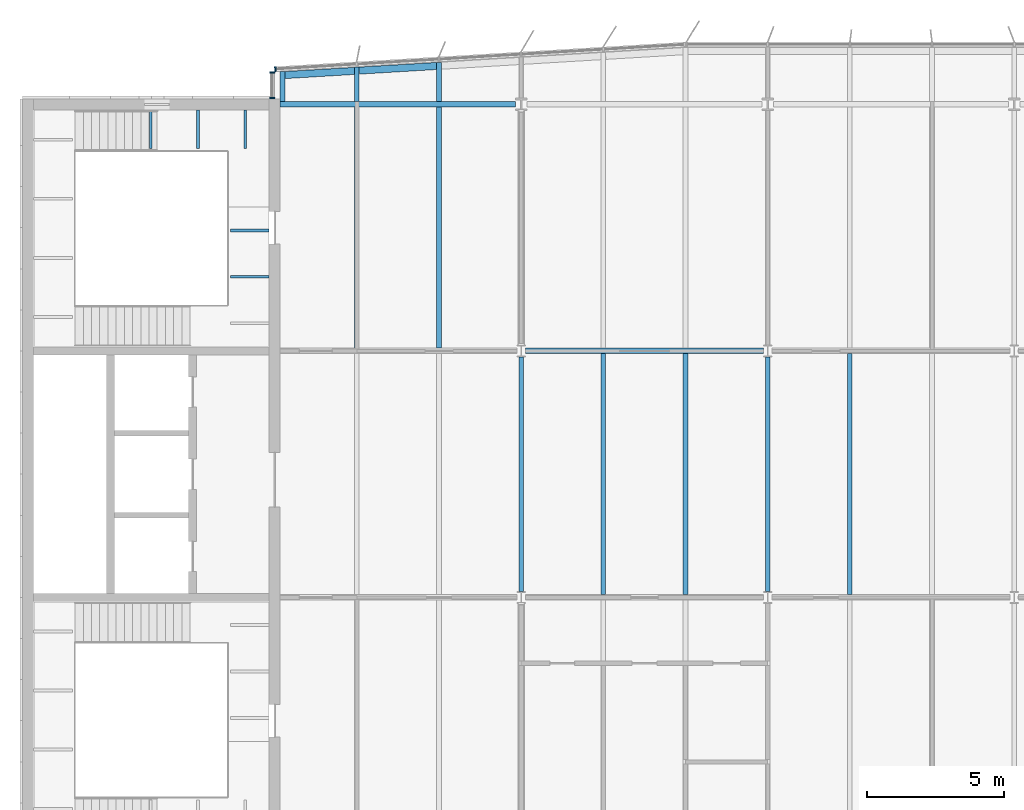
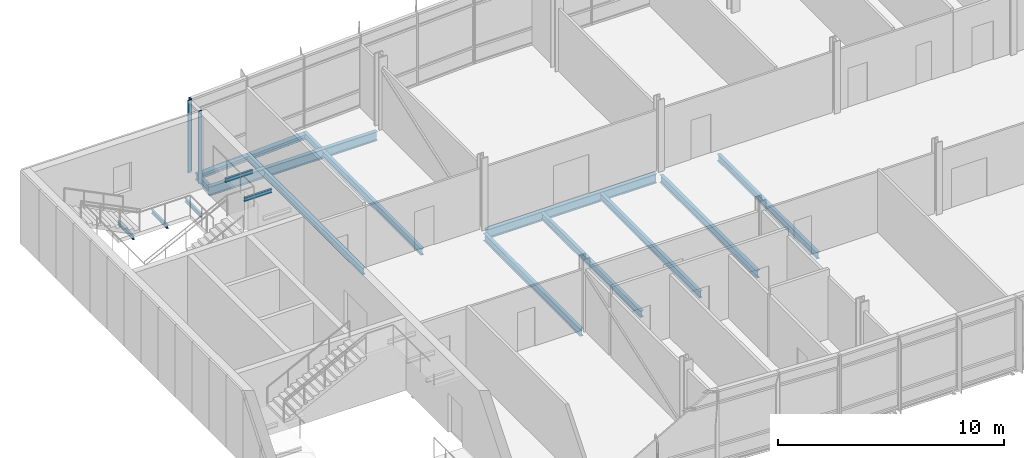
# One storey, part 4 of 18: 19 beams, 3 members, 2 elements without a shape of their own.
"""IFC4 building model written with IfcOpenShell, lengths in metres."""

import ifcopenshell
import ifcopenshell.guid

model = None  # the IFC model being written
_history = None  # IfcOwnerHistory: only IFC2X3 demands one
_inside = {}  # id of a spatial element -> (the spatial element, [elements in it])
_under = {}  # id of a project, library or spatial element -> (it, [spatial elements below it])
_declared = {}  # id of a project -> (the project, [libraries it declares])
_typed = {}  # id of a type object -> (the type object, [elements of that type])
_made_of = {}  # id of a material, layer set ... -> (it, [elements and type objects made of it])


def new_model(schema):
    """Start an empty IFC model of exactly this schema.

    Asked for "IFC4X3", IfcOpenShell would pick the latest addendum, in which some entities
    have other attributes; the version numbers below select the first issue.
    IFC2X3 requires an IfcOwnerHistory on every rooted entity: one is made here for all.
    """
    global model, _history
    if schema == "IFC4X3":
        model = ifcopenshell.file(schema_version=(4, 3, 0, 0))
    else:
        model = ifcopenshell.file(schema=schema)
    _inside.clear()
    _under.clear()
    _declared.clear()
    _typed.clear()
    _made_of.clear()
    _history = None
    if model.schema == "IFC2X3":
        org = make("IfcOrganization", Name="unknown")
        user = make(
            "IfcPersonAndOrganization",
            ThePerson=make("IfcPerson", FamilyName="unknown"),
            TheOrganization=org,
        )
        app = make(
            "IfcApplication",
            ApplicationDeveloper=org,
            Version="unknown",
            ApplicationFullName="unknown",
            ApplicationIdentifier="unknown",
        )
        _history = make(
            "IfcOwnerHistory",
            OwningUser=user,
            OwningApplication=app,
            ChangeAction="ADDED",
            CreationDate=0,
        )
    return model


def make(cls, **values):
    """One entity of the class cls with the attributes given. An attribute that is None is left unset."""
    return model.create_entity(
        cls, **{name: value for name, value in values.items() if value is not None}
    )


def rooted(cls, **values):
    """An entity with a GlobalId (a new one), such as an element, a storey or a relation."""
    return make(cls, GlobalId=ifcopenshell.guid.new(), OwnerHistory=_history, **values)


def si_unit(unit_type, name, prefix=None):
    """IfcSIUnit, for example si_unit("LENGTHUNIT", "METRE", prefix="MILLI")."""
    return make("IfcSIUnit", UnitType=unit_type, Prefix=prefix, Name=name)


def assignment(units):
    """IfcUnitAssignment: the units of a project."""
    return None if units is None else make("IfcUnitAssignment", Units=units)


def point(xyz):
    """IfcCartesianPoint."""
    return None if xyz is None else make("IfcCartesianPoint", Coordinates=xyz)


def direction(xyz):
    """IfcDirection."""
    return None if xyz is None else make("IfcDirection", DirectionRatios=xyz)


def frame(location, z_axis=None, x_axis=None):
    """IfcAxis2Placement3D, a coordinate frame: its origin and axes. An axis left out is left unset."""
    return make(
        "IfcAxis2Placement3D",
        Location=point(location),
        Axis=direction(z_axis),
        RefDirection=direction(x_axis),
    )


def frame_2d(location, x_axis=None):
    """IfcAxis2Placement2D, a coordinate frame in the plane: its origin and x axis."""
    return make(
        "IfcAxis2Placement2D", Location=point(location), RefDirection=direction(x_axis)
    )


def origin():
    """The frame at (0, 0, 0) with its axes left unset."""
    return frame((0.0, 0.0, 0.0))


def origin_2d():
    """The frame at (0, 0) in the plane with its x axis left unset."""
    return frame_2d((0.0, 0.0))


def place(relative_to, where):
    """IfcLocalPlacement: puts the frame where relative to a parent placement (None: the world)."""
    return make(
        "IfcLocalPlacement", PlacementRelTo=relative_to, RelativePlacement=where
    )


def context(
    kind, dimensions, precision=None, world=None, true_north=None, identifier=None
):
    """IfcGeometricRepresentationContext, for example the 3D "Model" context."""
    return make(
        "IfcGeometricRepresentationContext",
        ContextIdentifier=identifier,
        ContextType=kind,
        CoordinateSpaceDimension=dimensions,
        Precision=precision,
        WorldCoordinateSystem=world,
        TrueNorth=true_north,
    )


def subcontext(parent, identifier, kind, view, scale=None):
    """IfcGeometricRepresentationSubContext, for example "Body" below "Model"."""
    return make(
        "IfcGeometricRepresentationSubContext",
        ContextIdentifier=identifier,
        ContextType=kind,
        ParentContext=parent,
        TargetScale=scale,
        TargetView=view,
    )


def project(units=None, contexts=None):
    """IfcProject with its units and contexts."""
    return rooted(
        "IfcProject",
        Name="project",
        RepresentationContexts=contexts,
        UnitsInContext=assignment(units),
    )


def spatial(cls, under=None, at=None, **own):
    """A site, building, storey or space (cls), placed at a placement, below another one or the project."""
    s = rooted(cls, ObjectPlacement=at, **own)
    if under is not None:
        _under.setdefault(under.id(), (under, []))[1].append(s)
    return s


def profile(cls, at=None, kind="AREA", **sizes):
    """A parametric profile (cls). Its sizes go by their IFC names, for example OverallWidth=200.0."""
    return make(cls, ProfileType=kind, Position=at, **sizes)


def rectangle(**sizes):
    """IfcRectangleProfileDef."""
    return profile("IfcRectangleProfileDef", **sizes)


def i_section(**sizes):
    """IfcIShapeProfileDef."""
    return profile("IfcIShapeProfileDef", **sizes)


def extrude(swept, where, along, depth):
    """IfcExtrudedAreaSolid: the profile swept, set in the frame where, extruded along a direction by depth."""
    return make(
        "IfcExtrudedAreaSolid",
        SweptArea=swept,
        Position=where,
        ExtrudedDirection=direction(along),
        Depth=depth,
    )


def shape(context_of_items, identifier, shape_type, items):
    """IfcShapeRepresentation: the items that make up one representation, for example the "Body"."""
    return make(
        "IfcShapeRepresentation",
        ContextOfItems=context_of_items,
        RepresentationIdentifier=identifier,
        RepresentationType=shape_type,
        Items=items,
    )


def material(Name=None, Category=None):
    """IfcMaterial."""
    return make("IfcMaterial", Name=Name, Category=Category)


def material_profile(
    of_material, cross_section, Name=None, Category=None, Priority=None
):
    """IfcMaterialProfile: a cross section and its material."""
    return make(
        "IfcMaterialProfile",
        Name=Name,
        Material=of_material,
        Profile=cross_section,
        Priority=Priority,
        Category=Category,
    )


def profile_set(profiles, Name=None, composite=None):
    """IfcMaterialProfileSet."""
    return make(
        "IfcMaterialProfileSet",
        Name=Name,
        MaterialProfiles=profiles,
        CompositeProfile=composite,
    )


def made_of(thing, what):
    """Note that an element or type object is made of a material, layer set ...; save() writes the relation."""
    if what is not None:
        _made_of.setdefault(what.id(), (what, []))[1].append(thing)
    return thing


def type_object(cls, material=None, **own):
    """A type object (cls), such as IfcWallType, which elements share."""
    return made_of(rooted(cls, **own), material)


def element(
    cls,
    number,
    at=None,
    inside=None,
    cuts=None,
    type_object=None,
    material=None,
    context=None,
    identifier="Body",
    shape_type=None,
    held_by="IfcProductDefinitionShape",
    body=None,
    shapes=None,
    **own,
):
    """One element of the class cls, such as IfcWall. Its Tag is "e" and its number.

    at: its placement. inside: the storey or other place that contains it. cuts: it is an
    opening in that element (IfcRelVoidsElement). A single representation is given by context,
    identifier, shape_type and body (its items); several are given by shapes. held_by: the class
    of the entity that holds the representations. save() writes the other relations.
    """
    e = rooted(cls, Tag="e%d" % number, ObjectPlacement=at, **own)
    if body is not None:
        shapes = [shape(context, identifier, shape_type, body)]
    if shapes is not None:
        e.Representation = make(held_by, Representations=shapes)
    if inside is not None:
        _inside.setdefault(inside.id(), (inside, []))[1].append(e)
    if cuts is not None:
        rooted(
            "IfcRelVoidsElement", RelatingBuildingElement=cuts, RelatedOpeningElement=e
        )
    if type_object is not None:
        _typed.setdefault(type_object.id(), (type_object, []))[1].append(e)
    return made_of(e, material)


def aggregate(whole, parts):
    """IfcRelAggregates: a whole, such as a stair, and the parts it consists of."""
    return rooted("IfcRelAggregates", RelatingObject=whole, RelatedObjects=parts)


def save(model, path):
    """Write the relations noted so far, then the file.

    IfcRelAggregates (storeys below a building ...), IfcRelContainedInSpatialStructure (elements
    in a storey), IfcRelDefinesByType, IfcRelAssociatesMaterial and IfcRelDeclares: one each for
    every whole, place, type object, material and project.
    """
    for whole, parts in _under.values():
        aggregate(whole, parts)
    for where, things in _inside.values():
        rooted(
            "IfcRelContainedInSpatialStructure",
            RelatedElements=things,
            RelatingStructure=where,
        )
    for kind, things in _typed.values():
        rooted("IfcRelDefinesByType", RelatedObjects=things, RelatingType=kind)
    for what, things in _made_of.values():
        rooted("IfcRelAssociatesMaterial", RelatedObjects=things, RelatingMaterial=what)
    for by, libraries in _declared.values():
        rooted("IfcRelDeclares", RelatingContext=by, RelatedDefinitions=libraries)
    model.write(path)


model = new_model("IFC4")

# Units and contexts
model_context = context("Model", 3, precision=1e-05, world=origin(), true_north=direction((0.0, 1.0)))
body_context = subcontext(model_context, "Body", "Model", "MODEL_VIEW")
ifc_project = project(units=[si_unit("LENGTHUNIT", "METRE"), si_unit("AREAUNIT", "SQUARE_METRE"), si_unit("VOLUMEUNIT", "CUBIC_METRE"), si_unit("PLANEANGLEUNIT", "RADIAN"), si_unit("MASSUNIT", "GRAM", prefix="KILO")], contexts=[model_context])

# Site, building, storey
site_placement = place(None, origin())
site = spatial("IfcSite", under=ifc_project, at=site_placement, CompositionType="ELEMENT")
building_placement = place(site_placement, origin())
building = spatial("IfcBuilding", under=site, at=building_placement, Name="Azimuth Sports and Learning Centre", CompositionType="ELEMENT")
storey_placement = place(building_placement, frame((0.0, 0.0, 55.800048828125)))
storey = spatial("IfcBuildingStorey", under=building, at=storey_placement, Name="L12", CompositionType="ELEMENT", Elevation=55.800048828125)

# Beams
ifc_material_1 = material(Name="Steel S355", Category="steel")
ifc_material_profile_1 = material_profile(ifc_material_1, i_section(OverallWidth=0.10009765625, OverallDepth=0.199951171875, WebThickness=0.005615234375, FlangeThickness=0.008544921875, FilletRadius=0.011962890625, at=origin_2d()), Name="IPE 200")
ifc_profile_set_1 = profile_set([ifc_material_profile_1], Name="Steel S355")
beam_type_1 = type_object("IfcBeamType", Name="Beam IPE 200", PredefinedType="BEAM", material=ifc_profile_set_1)
for number, where, z_axis, x_axis, name in (
    (1, (58.473388671875, 116.800048828125, -0.300048828125), (0.0, -1.0, 0.0), (1.0, 0.0, 0.0), "Landing bracket W2 L12 297"),
    (2, (60.199951171875, 116.800048828125, -0.300048828125), (0.0, -1.0, 0.0), (1.0, 0.0, 0.0), "Landing bracket W2 L12 298"),
    (3, (61.9267578125, 116.800048828125, -0.300048828125), (0.0, -1.0, 0.0), (1.0, 0.0, 0.0), "Landing bracket W2 L12 299"),
    (4, (62.800048828125, 110.705078125, 3.599853515625), (-1.0, 0.0, 0.0), (0.0, -1.0, 0.0), "Landing bracket W2 L12 305"),
    (5, (62.800048828125, 112.401611328125, 3.599853515625), (-1.0, 0.0, 0.0), (0.0, -1.0, 0.0), "Landing bracket W2 L12 306"),
):
    element("IfcBeam", number, at=place(storey_placement, frame(where, z_axis=z_axis, x_axis=x_axis)), inside=storey, type_object=beam_type_1, Name=name, PredefinedType="BEAM", context=body_context, shape_type="SweptSolid", body=[
        extrude(i_section(OverallWidth=0.10009765625, OverallDepth=0.199951171875, WebThickness=0.005615234375, FlangeThickness=0.008544921875, FilletRadius=0.011962890625, at=origin_2d()), origin(), (0.0, 0.0, 1.0), 1.41015625),
    ])
ifc_material_2 = material(Name="Steel S355", Category="steel")
ifc_material_profile_2 = material_profile(ifc_material_2, i_section(OverallWidth=0.179931640625, OverallDepth=0.39990234375, WebThickness=0.008544921875, FlangeThickness=0.013427734375, FilletRadius=0.02099609375, at=origin_2d()), Name="IPE 400")
ifc_profile_set_2 = profile_set([ifc_material_profile_2], Name="Steel S355")
beam_type_2 = type_object("IfcBeamType", Name="Beam IPE 400", PredefinedType="BEAM", material=ifc_profile_set_2)
for number, where, z_axis, x_axis, name in (
    (6, (72.0, 99.216064453125, -0.330078125), (0.0, 1.0, 0.0), (-1.0, 0.0, 0.0), "Tower tie"),
    (7, (81.0, 99.216064453125, -0.330078125), (0.0, 1.0, 0.0), (-1.0, 0.0, 0.0), "Tower tie"),
):
    element("IfcBeam", number, at=place(storey_placement, frame(where, z_axis=z_axis, x_axis=x_axis)), inside=storey, type_object=beam_type_2, Name=name, PredefinedType="BEAM", context=body_context, shape_type="SweptSolid", body=[
        extrude(i_section(OverallWidth=0.179931640625, OverallDepth=0.39990234375, WebThickness=0.008544921875, FlangeThickness=0.013427734375, FilletRadius=0.02099609375, at=origin_2d()), origin(), (0.0, 0.0, 1.0), 8.56787109375),
    ])
ifc_material_3 = material(Name="Steel S355", Category="steel")
ifc_material_profile_3 = material_profile(ifc_material_3, i_section(OverallWidth=0.199951171875, OverallDepth=0.5, WebThickness=0.01025390625, FlangeThickness=0.01611328125, FilletRadius=0.02099609375, at=origin_2d()), Name="IPE 500")
ifc_profile_set_3 = profile_set([ifc_material_profile_3], Name="Steel S355")
beam_type_3 = type_object("IfcBeamType", Name="Beam IPE 500", PredefinedType="BEAM", material=ifc_profile_set_3)
beam_1_placement = place(storey_placement, frame((72.153564453125, 108.0, -0.380126953125), z_axis=(1.0, 0.0, 0.0), x_axis=(0.0, 1.0, 0.0)))
element("IfcBeam", 8, at=beam_1_placement, inside=storey, type_object=beam_type_3, Name="Tower girder L12", PredefinedType="BEAM", context=body_context, shape_type="SweptSolid", body=[
    extrude(i_section(OverallWidth=0.199951171875, OverallDepth=0.5, WebThickness=0.01025390625, FlangeThickness=0.01611328125, FilletRadius=0.02099609375, at=origin_2d()), origin(), (0.0, 0.0, 1.0), 8.69287109375),
])
beam_2_placement = place(storey_placement, frame((63.199951171875, 117.0, -0.380126953125), z_axis=(1.0, 0.0, 0.0), x_axis=(0.0, 1.0, 0.0)))
element("IfcBeam", 9, at=beam_2_placement, inside=storey, type_object=beam_type_3, Name="Tower girder L12", PredefinedType="BEAM", context=body_context, shape_type="SweptSolid", body=[
    extrude(i_section(OverallWidth=0.199951171875, OverallDepth=0.5, WebThickness=0.01025390625, FlangeThickness=0.01611328125, FilletRadius=0.02099609375, at=origin_2d()), origin(), (0.0, 0.0, 1.0), 8.591064453125),
])
ifc_material_4 = material(Name="Steel S355", Category="steel")
ifc_material_profile_4 = material_profile(ifc_material_4, i_section(OverallWidth=0.169921875, OverallDepth=0.360107421875, WebThickness=0.008056640625, FlangeThickness=0.0126953125, FilletRadius=0.01806640625, at=origin_2d()), Name="IPE 360")
ifc_profile_set_4 = profile_set([ifc_material_profile_4], Name="Steel S355")
beam_type_4 = type_object("IfcBeamType", Name="Cantilever stub IPE 360", PredefinedType="JOIST", material=ifc_profile_set_4)
beam_3_placement = place(storey_placement, frame((63.284912109375, 117.10009765625, -0.31005859375), z_axis=(0.0, 1.0, 0.0), x_axis=(-1.0, 0.0, 0.0)))
element("IfcBeam", 10, at=beam_3_placement, inside=storey, type_object=beam_type_4, Name="Tower cantilever stub", PredefinedType="JOIST", context=body_context, shape_type="SweptSolid", body=[
    extrude(i_section(OverallWidth=0.169921875, OverallDepth=0.360107421875, WebThickness=0.008056640625, FlangeThickness=0.0126953125, FilletRadius=0.01806640625, at=origin_2d()), origin(), (0.0, 0.0, 1.0), 1.096923828125),
])
beam_4_placement = place(storey_placement, frame((66.0, 117.10009765625, -0.31005859375), z_axis=(0.0, 1.0, 0.0), x_axis=(-1.0, 0.0, 0.0)))
element("IfcBeam", 11, at=beam_4_placement, inside=storey, type_object=beam_type_4, Name="Tower cantilever stub", PredefinedType="JOIST", context=body_context, shape_type="SweptSolid", body=[
    extrude(i_section(OverallWidth=0.169921875, OverallDepth=0.360107421875, WebThickness=0.008056640625, FlangeThickness=0.0126953125, FilletRadius=0.01806640625, at=origin_2d()), origin(), (0.0, 0.0, 1.0), 1.260009765625),
])
beam_5_placement = place(storey_placement, frame((69.0, 117.10009765625, -0.31005859375), z_axis=(0.0, 1.0, 0.0), x_axis=(-1.0, 0.0, 0.0)))
element("IfcBeam", 12, at=beam_5_placement, inside=storey, type_object=beam_type_4, Name="Tower cantilever stub", PredefinedType="JOIST", context=body_context, shape_type="SweptSolid", body=[
    extrude(i_section(OverallWidth=0.169921875, OverallDepth=0.360107421875, WebThickness=0.008056640625, FlangeThickness=0.0126953125, FilletRadius=0.01806640625, at=origin_2d()), origin(), (0.0, 0.0, 1.0), 1.43994140625),
])
ifc_material_5 = material(Name="Steel S355", Category="steel")
ifc_material_profile_5 = material_profile(ifc_material_5, i_section(OverallWidth=0.260009765625, OverallDepth=0.25, WebThickness=0.007568359375, FlangeThickness=0.012451171875, FilletRadius=0.02392578125, at=origin_2d()), Name="HEA 260")
ifc_profile_set_5 = profile_set([ifc_material_profile_5], Name="Steel S355")
beam_type_5 = type_object("IfcBeamType", Name="Edge beam HEA 260", PredefinedType="SPANDREL", material=ifc_profile_set_5)
beam_6_placement = place(storey_placement, frame((63.3701171875, 118.072265625, -0.255126953125), z_axis=(0.998207363591, 0.059850307199, 0.0), x_axis=(-0.059850307199, 0.998207363591, 0.0)))
element("IfcBeam", 13, at=beam_6_placement, inside=storey, type_object=beam_type_5, Name="Tower edge beam", PredefinedType="SPANDREL", context=body_context, shape_type="SweptSolid", body=[
    extrude(i_section(OverallWidth=0.260009765625, OverallDepth=0.25, WebThickness=0.007568359375, FlangeThickness=0.012451171875, FilletRadius=0.02392578125, at=origin_2d()), origin(), (0.0, 0.0, 1.0), 2.549560546875),
])
beam_7_placement = place(storey_placement, frame((66.0849609375, 118.235107421875, -0.255126953125), z_axis=(0.998207521518, 0.059847673176, 0.0), x_axis=(-0.059847673176, 0.998207521518, 0.0)))
element("IfcBeam", 14, at=beam_7_placement, inside=storey, type_object=beam_type_5, Name="Tower edge beam", PredefinedType="SPANDREL", context=body_context, shape_type="SweptSolid", body=[
    extrude(i_section(OverallWidth=0.260009765625, OverallDepth=0.25, WebThickness=0.007568359375, FlangeThickness=0.012451171875, FilletRadius=0.02392578125, at=origin_2d()), origin(), (0.0, 0.0, 1.0), 2.835205078125),
])
ifc_material_6 = material(Name="Steel S355", Category="steel")
ifc_material_profile_6 = material_profile(ifc_material_6, i_section(OverallWidth=0.169921875, OverallDepth=0.360107421875, WebThickness=0.008056640625, FlangeThickness=0.0126953125, FilletRadius=0.01806640625, at=origin_2d()), Name="IPE 360")
ifc_profile_set_6 = profile_set([ifc_material_profile_6], Name="Steel S355")
beam_type_6 = type_object("IfcBeamType", Name="Joist IPE 360", PredefinedType="JOIST", material=ifc_profile_set_6)
for number, where, z_axis, x_axis, name in (
    (15, (66.0, 108.10009765625, -0.31005859375), (0.0, 1.0, 0.0), (-1.0, 0.0, 0.0), "Tower joist"),
    (16, (69.0, 108.10009765625, -0.31005859375), (0.0, 1.0, 0.0), (-1.0, 0.0, 0.0), "Tower joist"),
    (17, (75.0, 99.10009765625, -0.31005859375), (0.0, 1.0, 0.0), (-1.0, 0.0, 0.0), "Tower joist"),
    (18, (78.0, 99.10009765625, -0.31005859375), (0.0, 1.0, 0.0), (-1.0, 0.0, 0.0), "Tower joist"),
    (19, (84.0, 99.10009765625, -0.31005859375), (0.0, 1.0, 0.0), (-1.0, 0.0, 0.0), "Tower joist"),
):
    element("IfcBeam", number, at=place(storey_placement, frame(where, z_axis=z_axis, x_axis=x_axis)), inside=storey, type_object=beam_type_6, Name=name, PredefinedType="JOIST", context=body_context, shape_type="SweptSolid", body=[
        extrude(i_section(OverallWidth=0.169921875, OverallDepth=0.360107421875, WebThickness=0.008056640625, FlangeThickness=0.0126953125, FilletRadius=0.01806640625, at=origin_2d()), origin(), (0.0, 0.0, 1.0), 8.7998046875),
    ])

# Curtain wall, member
ifc_material_7 = material(Name="Aluminium and glass", Category="aluminium")
curtain_wall_type_1 = type_object("IfcCurtainWallType", Name="Curtain wall tower north 180", PredefinedType="NOTDEFINED", material=ifc_material_7)
curtain_wall_1_placement = place(storey_placement, origin())
curtain_wall_1 = element("IfcCurtainWall", 20, at=curtain_wall_1_placement, inside=storey, type_object=curtain_wall_type_1, Name="Curtain wall CW12-009", PredefinedType="NOTDEFINED")
ifc_material_8 = material(Name="Aluminium", Category="aluminium")
ifc_material_profile_7 = material_profile(ifc_material_8, rectangle(XDim=0.179931640625, YDim=0.06005859375, at=origin_2d()), Name="Mullion 60x180")
ifc_profile_set_7 = profile_set([ifc_material_profile_7], Name="Aluminium")
member_type = type_object("IfcMemberType", Name="Mullion 60x180", PredefinedType="MULLION", material=ifc_profile_set_7)
member_1_placement = place(storey_placement, frame((63.024658203125, 118.291748046875, 0.0), z_axis=(0.0, 0.0, 1.0), x_axis=(0.059891991812, -0.998204863401, 0.0)))
member_1 = element("IfcMember", 21, at=member_1_placement, type_object=member_type, Name="CW12-009 mullion 6", PredefinedType="MULLION", context=body_context, shape_type="SweptSolid", body=[
    extrude(rectangle(XDim=0.179931640625, YDim=0.06005859375, at=origin_2d()), origin(), (0.0, 0.0, 1.0), 3.89990234375),
])
aggregate(curtain_wall_1, [member_1])

# Curtain wall, members
ifc_material_9 = material(Name="Aluminium and glass", Category="aluminium")
curtain_wall_type_2 = type_object("IfcCurtainWallType", Name="Curtain wall tower return 180", PredefinedType="NOTDEFINED", material=ifc_material_9)
curtain_wall_2_placement = place(storey_placement, origin())
curtain_wall_2 = element("IfcCurtainWall", 22, at=curtain_wall_2_placement, inside=storey, type_object=curtain_wall_type_2, Name="Curtain wall CW12-010", PredefinedType="NOTDEFINED")
member_2_placement = place(storey_placement, frame((62.909912109375, 118.169921875, 0.0), z_axis=(0.0, 0.0, 1.0), x_axis=(1.0, 0.0, 0.0)))
member_2 = element("IfcMember", 23, at=member_2_placement, type_object=member_type, Name="CW12-010 mullion 1", PredefinedType="MULLION", context=body_context, shape_type="SweptSolid", body=[
    extrude(rectangle(XDim=0.179931640625, YDim=0.06005859375, at=origin_2d()), origin(), (0.0, 0.0, 1.0), 3.89990234375),
])
member_3_placement = place(storey_placement, frame((62.909912109375, 117.22998046875, 0.0), z_axis=(0.0, 0.0, 1.0), x_axis=(1.0, 0.0, 0.0)))
member_3 = element("IfcMember", 24, at=member_3_placement, type_object=member_type, Name="CW12-010 mullion 2", PredefinedType="MULLION", context=body_context, shape_type="SweptSolid", body=[
    extrude(rectangle(XDim=0.179931640625, YDim=0.06005859375, at=origin_2d()), origin(), (0.0, 0.0, 1.0), 3.89990234375),
])
aggregate(curtain_wall_2, [member_2, member_3])

save(model, "model.ifc")
